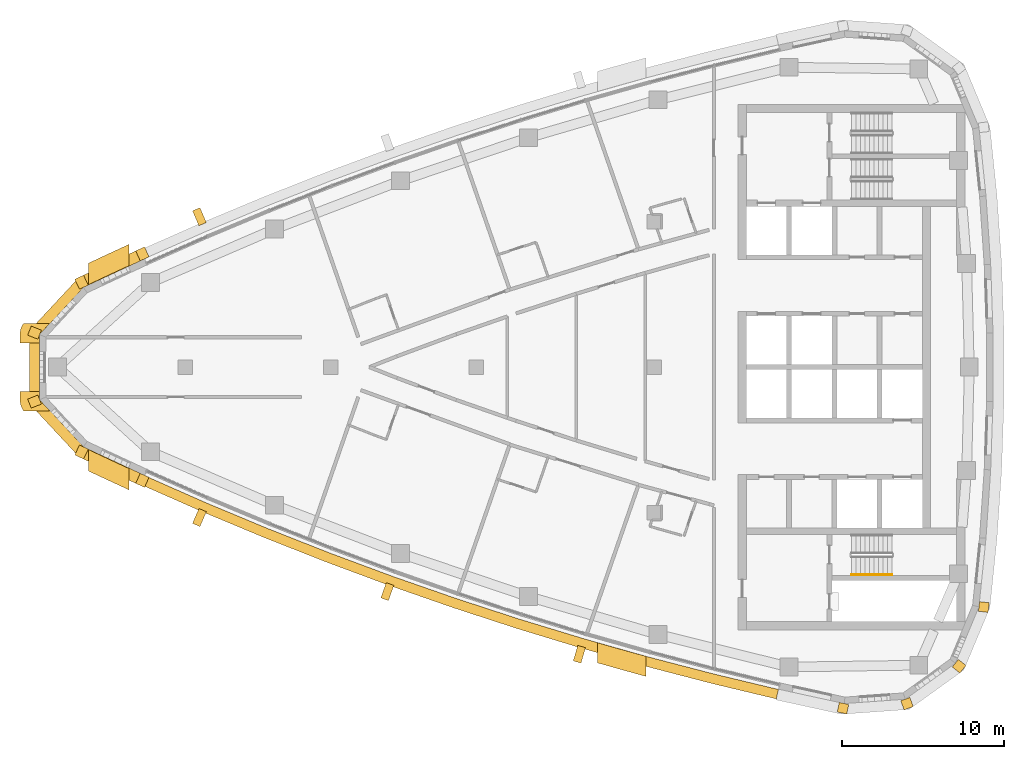
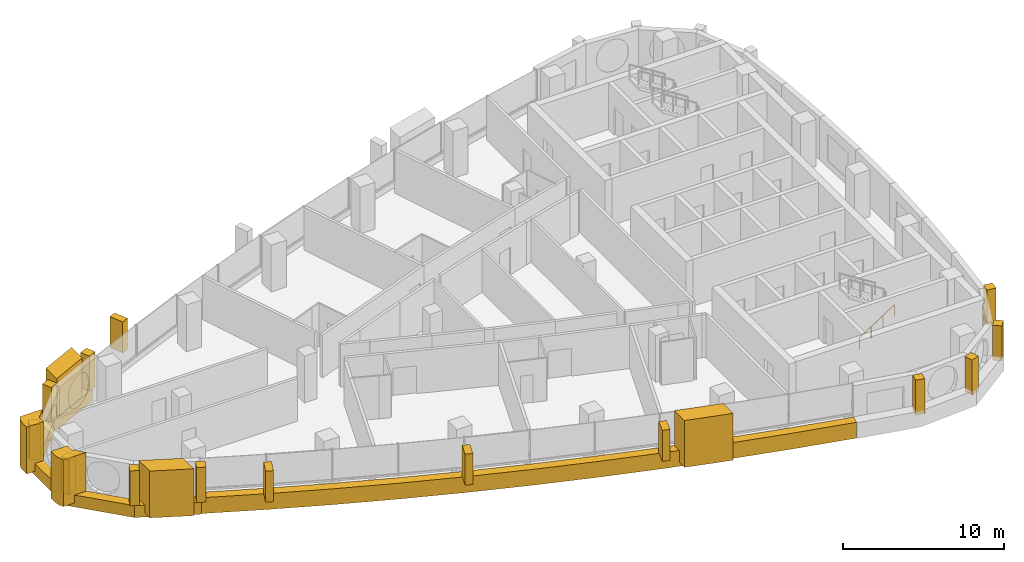
# One storey, part 12 of 15: 21 coverings, 1 railing.
"""IFC4 building model written with IfcOpenShell, lengths in metres."""

import ifcopenshell
import ifcopenshell.guid

model = None  # the IFC model being written
_history = None  # IfcOwnerHistory: only IFC2X3 demands one
_inside = {}  # id of a spatial element -> (the spatial element, [elements in it])
_under = {}  # id of a project, library or spatial element -> (it, [spatial elements below it])
_declared = {}  # id of a project -> (the project, [libraries it declares])
_typed = {}  # id of a type object -> (the type object, [elements of that type])
_made_of = {}  # id of a material, layer set ... -> (it, [elements and type objects made of it])


def new_model(schema):
    """Start an empty IFC model of exactly this schema.

    Asked for "IFC4X3", IfcOpenShell would pick the latest addendum, in which some entities
    have other attributes; the version numbers below select the first issue.
    IFC2X3 requires an IfcOwnerHistory on every rooted entity: one is made here for all.
    """
    global model, _history
    if schema == "IFC4X3":
        model = ifcopenshell.file(schema_version=(4, 3, 0, 0))
    else:
        model = ifcopenshell.file(schema=schema)
    _inside.clear()
    _under.clear()
    _declared.clear()
    _typed.clear()
    _made_of.clear()
    _history = None
    if model.schema == "IFC2X3":
        org = make("IfcOrganization", Name="unknown")
        user = make(
            "IfcPersonAndOrganization",
            ThePerson=make("IfcPerson", FamilyName="unknown"),
            TheOrganization=org,
        )
        app = make(
            "IfcApplication",
            ApplicationDeveloper=org,
            Version="unknown",
            ApplicationFullName="unknown",
            ApplicationIdentifier="unknown",
        )
        _history = make(
            "IfcOwnerHistory",
            OwningUser=user,
            OwningApplication=app,
            ChangeAction="ADDED",
            CreationDate=0,
        )
    return model


def make(cls, **values):
    """One entity of the class cls with the attributes given. An attribute that is None is left unset."""
    return model.create_entity(
        cls, **{name: value for name, value in values.items() if value is not None}
    )


def rooted(cls, **values):
    """An entity with a GlobalId (a new one), such as an element, a storey or a relation."""
    return make(cls, GlobalId=ifcopenshell.guid.new(), OwnerHistory=_history, **values)


def si_unit(unit_type, name, prefix=None):
    """IfcSIUnit, for example si_unit("LENGTHUNIT", "METRE", prefix="MILLI")."""
    return make("IfcSIUnit", UnitType=unit_type, Prefix=prefix, Name=name)


def assignment(units):
    """IfcUnitAssignment: the units of a project."""
    return None if units is None else make("IfcUnitAssignment", Units=units)


def point(xyz):
    """IfcCartesianPoint."""
    return None if xyz is None else make("IfcCartesianPoint", Coordinates=xyz)


def direction(xyz):
    """IfcDirection."""
    return None if xyz is None else make("IfcDirection", DirectionRatios=xyz)


def frame(location, z_axis=None, x_axis=None):
    """IfcAxis2Placement3D, a coordinate frame: its origin and axes. An axis left out is left unset."""
    return make(
        "IfcAxis2Placement3D",
        Location=point(location),
        Axis=direction(z_axis),
        RefDirection=direction(x_axis),
    )


def frame_2d(location, x_axis=None):
    """IfcAxis2Placement2D, a coordinate frame in the plane: its origin and x axis."""
    return make(
        "IfcAxis2Placement2D", Location=point(location), RefDirection=direction(x_axis)
    )


def origin():
    """The frame at (0, 0, 0) with its axes left unset."""
    return frame((0.0, 0.0, 0.0))


def origin_2d():
    """The frame at (0, 0) in the plane with its x axis left unset."""
    return frame_2d((0.0, 0.0))


def place(relative_to, where):
    """IfcLocalPlacement: puts the frame where relative to a parent placement (None: the world)."""
    return make(
        "IfcLocalPlacement", PlacementRelTo=relative_to, RelativePlacement=where
    )


def context(
    kind, dimensions, precision=None, world=None, true_north=None, identifier=None
):
    """IfcGeometricRepresentationContext, for example the 3D "Model" context."""
    return make(
        "IfcGeometricRepresentationContext",
        ContextIdentifier=identifier,
        ContextType=kind,
        CoordinateSpaceDimension=dimensions,
        Precision=precision,
        WorldCoordinateSystem=world,
        TrueNorth=true_north,
    )


def subcontext(parent, identifier, kind, view, scale=None):
    """IfcGeometricRepresentationSubContext, for example "Body" below "Model"."""
    return make(
        "IfcGeometricRepresentationSubContext",
        ContextIdentifier=identifier,
        ContextType=kind,
        ParentContext=parent,
        TargetScale=scale,
        TargetView=view,
    )


def project(units=None, contexts=None):
    """IfcProject with its units and contexts."""
    return rooted(
        "IfcProject",
        Name="project",
        RepresentationContexts=contexts,
        UnitsInContext=assignment(units),
    )


def spatial(cls, under=None, at=None, **own):
    """A site, building, storey or space (cls), placed at a placement, below another one or the project."""
    s = rooted(cls, ObjectPlacement=at, **own)
    if under is not None:
        _under.setdefault(under.id(), (under, []))[1].append(s)
    return s


def polyline(points):
    """IfcPolyline through the points."""
    return make("IfcPolyline", Points=[point(p) for p in points])


def profile(cls, at=None, kind="AREA", **sizes):
    """A parametric profile (cls). Its sizes go by their IFC names, for example OverallWidth=200.0."""
    return make(cls, ProfileType=kind, Position=at, **sizes)


def rectangle(**sizes):
    """IfcRectangleProfileDef."""
    return profile("IfcRectangleProfileDef", **sizes)


def circle(**sizes):
    """IfcCircleProfileDef."""
    return profile("IfcCircleProfileDef", **sizes)


def outline(outer, holes=None, kind="AREA"):
    """IfcArbitraryClosedProfileDef: a profile drawn as a closed curve; with holes, ...WithVoids."""
    if holes is None:
        return make("IfcArbitraryClosedProfileDef", ProfileType=kind, OuterCurve=outer)
    return make(
        "IfcArbitraryProfileDefWithVoids",
        ProfileType=kind,
        OuterCurve=outer,
        InnerCurves=holes,
    )


def extrude(swept, where, along, depth):
    """IfcExtrudedAreaSolid: the profile swept, set in the frame where, extruded along a direction by depth."""
    return make(
        "IfcExtrudedAreaSolid",
        SweptArea=swept,
        Position=where,
        ExtrudedDirection=direction(along),
        Depth=depth,
    )


def shape(context_of_items, identifier, shape_type, items):
    """IfcShapeRepresentation: the items that make up one representation, for example the "Body"."""
    return make(
        "IfcShapeRepresentation",
        ContextOfItems=context_of_items,
        RepresentationIdentifier=identifier,
        RepresentationType=shape_type,
        Items=items,
    )


def material(Name=None, Category=None):
    """IfcMaterial."""
    return make("IfcMaterial", Name=Name, Category=Category)


def layer(
    of_material, thickness, ventilated=None, Name=None, Category=None, Priority=None
):
    """IfcMaterialLayer: one layer of a wall or slab, of a material (None: an air gap)."""
    return make(
        "IfcMaterialLayer",
        Material=of_material,
        LayerThickness=thickness,
        IsVentilated=ventilated,
        Name=Name,
        Category=Category,
        Priority=Priority,
    )


def layer_set(layers, Name=None):
    """IfcMaterialLayerSet."""
    return make("IfcMaterialLayerSet", MaterialLayers=layers, LayerSetName=Name)


def made_of(thing, what):
    """Note that an element or type object is made of a material, layer set ...; save() writes the relation."""
    if what is not None:
        _made_of.setdefault(what.id(), (what, []))[1].append(thing)
    return thing


def type_object(cls, material=None, **own):
    """A type object (cls), such as IfcWallType, which elements share."""
    return made_of(rooted(cls, **own), material)


def element(
    cls,
    number,
    at=None,
    inside=None,
    cuts=None,
    type_object=None,
    material=None,
    context=None,
    identifier="Body",
    shape_type=None,
    held_by="IfcProductDefinitionShape",
    body=None,
    shapes=None,
    **own,
):
    """One element of the class cls, such as IfcWall. Its Tag is "e" and its number.

    at: its placement. inside: the storey or other place that contains it. cuts: it is an
    opening in that element (IfcRelVoidsElement). A single representation is given by context,
    identifier, shape_type and body (its items); several are given by shapes. held_by: the class
    of the entity that holds the representations. save() writes the other relations.
    """
    e = rooted(cls, Tag="e%d" % number, ObjectPlacement=at, **own)
    if body is not None:
        shapes = [shape(context, identifier, shape_type, body)]
    if shapes is not None:
        e.Representation = make(held_by, Representations=shapes)
    if inside is not None:
        _inside.setdefault(inside.id(), (inside, []))[1].append(e)
    if cuts is not None:
        rooted(
            "IfcRelVoidsElement", RelatingBuildingElement=cuts, RelatedOpeningElement=e
        )
    if type_object is not None:
        _typed.setdefault(type_object.id(), (type_object, []))[1].append(e)
    return made_of(e, material)


def aggregate(whole, parts):
    """IfcRelAggregates: a whole, such as a stair, and the parts it consists of."""
    return rooted("IfcRelAggregates", RelatingObject=whole, RelatedObjects=parts)


def save(model, path):
    """Write the relations noted so far, then the file.

    IfcRelAggregates (storeys below a building ...), IfcRelContainedInSpatialStructure (elements
    in a storey), IfcRelDefinesByType, IfcRelAssociatesMaterial and IfcRelDeclares: one each for
    every whole, place, type object, material and project.
    """
    for whole, parts in _under.values():
        aggregate(whole, parts)
    for where, things in _inside.values():
        rooted(
            "IfcRelContainedInSpatialStructure",
            RelatedElements=things,
            RelatingStructure=where,
        )
    for kind, things in _typed.values():
        rooted("IfcRelDefinesByType", RelatedObjects=things, RelatingType=kind)
    for what, things in _made_of.values():
        rooted("IfcRelAssociatesMaterial", RelatedObjects=things, RelatingMaterial=what)
    for by, libraries in _declared.values():
        rooted("IfcRelDeclares", RelatingContext=by, RelatedDefinitions=libraries)
    model.write(path)


model = new_model("IFC4")

# Units and contexts
model_context = context("Model", 3, precision=1e-05, world=origin(), true_north=direction((0.0, 1.0)))
body_context = subcontext(model_context, "Body", "Model", "MODEL_VIEW")
ifc_project = project(units=[si_unit("LENGTHUNIT", "METRE"), si_unit("AREAUNIT", "SQUARE_METRE"), si_unit("VOLUMEUNIT", "CUBIC_METRE"), si_unit("PLANEANGLEUNIT", "RADIAN"), si_unit("MASSUNIT", "GRAM", prefix="KILO")], contexts=[model_context])

# Site, building, storey
site_placement = place(None, origin())
site = spatial("IfcSite", under=ifc_project, at=site_placement, CompositionType="ELEMENT")
building_placement = place(site_placement, origin())
building = spatial("IfcBuilding", under=site, at=building_placement, Name="Ostrand Prow Hotel Tower", CompositionType="ELEMENT")
storey_placement = place(building_placement, frame((0.0, 0.0, 292.75)))
storey = spatial("IfcBuildingStorey", under=building, at=storey_placement, Name="L74", CompositionType="ELEMENT", Elevation=292.75)

# Coverings
ifc_material_1 = material(Name="Bronze anodised aluminium cladding", Category="aluminium")
ifc_layer_1 = layer(ifc_material_1, 0.60009765625)
ifc_layer_set_1 = layer_set([ifc_layer_1], Name="Bronze anodised aluminium cladding")
covering_type_1 = type_object("IfcCoveringType", Name="Bronze prow band 899x600", PredefinedType="CLADDING", material=ifc_layer_set_1)
covering_1_placement = place(storey_placement, frame((0.0, 0.0, -0.300048828125)))
element("IfcCovering", 1, at=covering_1_placement, inside=storey, type_object=covering_type_1, Name="Bronze prow band", PredefinedType="CLADDING", context=body_context, shape_type="SweptSolid", body=[
    extrude(outline(polyline([(13.195068359375, 7.316162109375), (9.424560546875, 5.559814453125), (6.348388671875, 2.2568359375), (6.348388671875, -2.2568359375), (9.424560546875, -5.559814453125), (13.195068359375, -7.316162109375), (13.47607421875, -6.697021484375), (9.718017578125, -4.9462890625), (6.981201171875, -2.0078125), (6.981201171875, 2.0078125), (9.718017578125, 4.9462890625), (13.47607421875, 6.697021484375), (13.195068359375, 7.316162109375)])), origin(), (0.0, 0.0, 1.0), 0.900146484375),
])
ifc_material_2 = material(Name="Bronze anodised aluminium cladding", Category="aluminium")
ifc_layer_2 = layer(ifc_material_2, 0.60009765625)
ifc_layer_set_2 = layer_set([ifc_layer_2], Name="Bronze anodised aluminium cladding")
covering_type_2 = type_object("IfcCoveringType", Name="Bronze spandrel band 1200x600", PredefinedType="CLADDING", material=ifc_layer_set_2)
covering_2_placement = place(storey_placement, frame((0.0, 0.0, -0.300048828125)))
element("IfcCovering", 2, at=covering_2_placement, inside=storey, type_object=covering_type_2, Name="Spandrel band S1", PredefinedType="CLADDING", context=body_context, shape_type="SweptSolid", body=[
    extrude(outline(polyline([(13.220947265625, -7.25927734375), (17.02490234375, -8.938720703125), (20.86181640625, -10.541748046875), (24.72998046875, -12.067138671875), (28.62841796875, -13.514404296875), (32.5546875, -14.88330078125), (36.508056640625, -16.172607421875), (40.486328125, -17.382568359375), (44.48828125, -18.51220703125), (48.51220703125, -19.56103515625), (52.55615234375, -20.52880859375), (52.68994140625, -19.94384765625), (48.65771484375, -18.97900390625), (44.6455078125, -17.93310546875), (40.6552734375, -16.806884765625), (36.6884765625, -15.6005859375), (32.74658203125, -14.314697265625), (28.83154296875, -12.949951171875), (24.944580078125, -11.5068359375), (21.08740234375, -9.98583984375), (17.26171875, -8.3876953125), (13.468994140625, -6.712890625), (13.220947265625, -7.25927734375)])), origin(), (0.0, 0.0, 1.0), 1.199951171875),
])
ifc_material_3 = material(Name="Limestone cladding", Category="masonry")
ifc_layer_3 = layer(ifc_material_3, 5.0)
ifc_layer_set_3 = layer_set([ifc_layer_3], Name="Limestone cladding")
covering_type_3 = type_object("IfcCoveringType", Name="Portal jamb pilaster limestone", PredefinedType="CLADDING", material=ifc_layer_set_3)
covering_3_placement = place(storey_placement, origin())
element("IfcCovering", 3, at=covering_3_placement, inside=storey, type_object=covering_type_3, Name="Portal jamb SA L74", PredefinedType="CLADDING", context=body_context, shape_type="SweptSolid", body=[
    extrude(outline(polyline([(10.0, -5.10009765625), (10.0, -6.428466796875), (10.833251953125, -6.8203125), (11.666748046875, -7.20751953125), (12.5, -7.590087890625), (12.5, -6.270263671875), (11.666748046875, -5.884765625), (10.833251953125, -5.494873046875), (10.0, -5.10009765625)])), origin(), (0.0, 0.0, 1.0), 3.550048828125),
])
covering_4_placement = place(storey_placement, origin())
element("IfcCovering", 4, at=covering_4_placement, inside=storey, type_object=covering_type_3, Name="Portal jamb SB L74", PredefinedType="CLADDING", context=body_context, shape_type="SweptSolid", body=[
    extrude(outline(polyline([(41.5, -17.052490234375), (41.5, -18.301025390625), (42.5, -18.585205078125), (43.5, -18.86376953125), (44.5, -19.136962890625), (44.5, -17.8935546875), (43.5, -17.61865234375), (42.5, -17.338134765625), (41.5, -17.052490234375)])), origin(), (0.0, 0.0, 1.0), 3.550048828125),
])
covering_5_placement = place(storey_placement, origin())
element("IfcCovering", 5, at=covering_5_placement, inside=storey, type_object=covering_type_3, Name="Portal jamb NA L74", PredefinedType="CLADDING", context=body_context, shape_type="SweptSolid", body=[
    extrude(outline(polyline([(10.0, 5.10009765625), (10.833251953125, 5.494873046875), (11.666748046875, 5.884765625), (12.5, 6.270263671875), (12.5, 7.590087890625), (11.666748046875, 7.20751953125), (10.833251953125, 6.8203125), (10.0, 6.428466796875), (10.0, 5.10009765625)])), origin(), (0.0, 0.0, 1.0), 3.550048828125),
])
ifc_material_4 = material(Name="Limestone cladding", Category="masonry")
ifc_layer_4 = layer(ifc_material_4, 0.5)
ifc_layer_set_4 = layer_set([ifc_layer_4], Name="Limestone cladding")
covering_type_4 = type_object("IfcCoveringType", Name="Precast stone fin 500x900", PredefinedType="CLADDING", material=ifc_layer_set_4)
covering_6_placement = place(storey_placement, frame((17.064453125, -8.846923828125, 0.89990234375), z_axis=(0.0, 0.0, 1.0), x_axis=(-0.394714590234, -0.918803783327, 0.0)))
element("IfcCovering", 6, at=covering_6_placement, inside=storey, type_object=covering_type_4, Name="Stone fin S 2", PredefinedType="CLADDING", context=body_context, shape_type="SweptSolid", body=[
    extrude(rectangle(XDim=1.000244140625, YDim=0.5, at=frame_2d((0.5, 0.0))), origin(), (0.0, 0.0, 1.0), 2.35009765625),
])
covering_7_placement = place(storey_placement, frame((28.662109375, -13.42041015625, 0.89990234375), z_axis=(0.0, 0.0, 1.0), x_axis=(-0.338624368902, -0.940921642213, 0.0)))
element("IfcCovering", 7, at=covering_7_placement, inside=storey, type_object=covering_type_4, Name="Stone fin S 5", PredefinedType="CLADDING", context=body_context, shape_type="SweptSolid", body=[
    extrude(rectangle(XDim=1.0, YDim=0.5, at=frame_2d((0.5, 0.0))), origin(), (0.0, 0.0, 1.0), 2.35009765625),
])
covering_8_placement = place(storey_placement, frame((40.5146484375, -17.28662109375, 0.89990234375), z_axis=(0.0, 0.0, 1.0), x_axis=(-0.281293696661, -0.959621725587, 0.0)))
element("IfcCovering", 8, at=covering_8_placement, inside=storey, type_object=covering_type_4, Name="Stone fin S 8", PredefinedType="CLADDING", context=body_context, shape_type="SweptSolid", body=[
    extrude(rectangle(XDim=0.999755859375, YDim=0.5, at=frame_2d((0.5, 0.0))), origin(), (0.0, 0.0, 1.0), 2.35009765625),
])
covering_9_placement = place(storey_placement, frame((17.064453125, 8.846923828125, 0.89990234375), z_axis=(0.0, 0.0, 1.0), x_axis=(-0.394714590234, 0.918803783327, 0.0)))
element("IfcCovering", 9, at=covering_9_placement, inside=storey, type_object=covering_type_4, Name="Stone fin N 10", PredefinedType="CLADDING", context=body_context, shape_type="SweptSolid", body=[
    extrude(rectangle(XDim=1.000244140625, YDim=0.5, at=frame_2d((0.5, 0.0))), origin(), (0.0, 0.0, 1.0), 2.35009765625),
])
ifc_material_5 = material(Name="Limestone cladding", Category="masonry")
ifc_layer_5 = layer(ifc_material_5, 0.60009765625)
ifc_layer_set_5 = layer_set([ifc_layer_5], Name="Limestone cladding")
covering_type_5 = type_object("IfcCoveringType", Name="Precast stone prow rib 600x600", PredefinedType="CLADDING", material=ifc_layer_set_5)
covering_10_placement = place(storey_placement, frame((13.47607421875, 6.697021484375, 0.60009765625), z_axis=(0.0, 0.0, 1.0), x_axis=(-0.413288868051, 0.910599973394, 0.0)))
element("IfcCovering", 10, at=covering_10_placement, inside=storey, type_object=covering_type_5, Name="Stone prow rib 1", PredefinedType="CLADDING", context=body_context, shape_type="SweptSolid", body=[
    extrude(rectangle(XDim=0.679931640625, YDim=0.60009765625, at=frame_2d((0.33984375, 0.0))), origin(), (0.0, 0.0, 1.0), 2.64990234375),
])
covering_11_placement = place(storey_placement, frame((9.718017578125, 4.9462890625, 0.60009765625), z_axis=(0.0, 0.0, 1.0), x_axis=(-0.431493603995, 0.902115995707, 0.0)))
element("IfcCovering", 11, at=covering_11_placement, inside=storey, type_object=covering_type_5, Name="Stone prow rib 2", PredefinedType="CLADDING", context=body_context, shape_type="SweptSolid", body=[
    extrude(rectangle(XDim=0.68017578125, YDim=0.60009765625, at=frame_2d((0.340087890625, 0.0))), origin(), (0.0, 0.0, 1.0), 2.64990234375),
])
for number, where, z_axis, x_axis, name in (
    (12, (6.981201171875, 2.0078125, 0.60009765625), (0.0, 0.0, 1.0), (-0.93054188789, 0.366185465142, 0.0), "Stone prow rib 3"),
    (13, (6.981201171875, -2.0078125, 0.60009765625), (0.0, 0.0, 1.0), (-0.93054188789, -0.366185465142, 0.0), "Stone prow rib 4"),
):
    element("IfcCovering", number, at=place(storey_placement, frame(where, z_axis=z_axis, x_axis=x_axis)), inside=storey, type_object=covering_type_5, Name=name, PredefinedType="CLADDING", context=body_context, shape_type="SweptSolid", body=[
        extrude(rectangle(XDim=0.679931640625, YDim=0.60009765625, at=frame_2d((0.33984375, 0.0))), origin(), (0.0, 0.0, 1.0), 2.64990234375),
    ])
covering_12_placement = place(storey_placement, frame((9.718017578125, -4.9462890625, 0.60009765625), z_axis=(0.0, 0.0, 1.0), x_axis=(-0.431493603995, -0.902115995707, 0.0)))
element("IfcCovering", 14, at=covering_12_placement, inside=storey, type_object=covering_type_5, Name="Stone prow rib 5", PredefinedType="CLADDING", context=body_context, shape_type="SweptSolid", body=[
    extrude(rectangle(XDim=0.68017578125, YDim=0.60009765625, at=frame_2d((0.340087890625, 0.0))), origin(), (0.0, 0.0, 1.0), 2.64990234375),
])
covering_13_placement = place(storey_placement, frame((13.47607421875, -6.697021484375, 0.60009765625), z_axis=(0.0, 0.0, 1.0), x_axis=(-0.413288868051, -0.910599973394, 0.0)))
element("IfcCovering", 15, at=covering_13_placement, inside=storey, type_object=covering_type_5, Name="Stone prow rib 6", PredefinedType="CLADDING", context=body_context, shape_type="SweptSolid", body=[
    extrude(rectangle(XDim=0.679931640625, YDim=0.60009765625, at=frame_2d((0.33984375, 0.0))), origin(), (0.0, 0.0, 1.0), 2.64990234375),
])
covering_14_placement = place(storey_placement, frame((56.744384765625, -20.810546875, 0.60009765625), z_axis=(0.0, 0.0, 1.0), x_axis=(-0.203385687349, -0.979098698897, 0.0)))
element("IfcCovering", 16, at=covering_14_placement, inside=storey, type_object=covering_type_5, Name="Stone corner rib 2a", PredefinedType="CLADDING", context=body_context, shape_type="SweptSolid", body=[
    extrude(rectangle(XDim=0.60009765625, YDim=0.60009765625, at=frame_2d((0.300048828125, 0.0))), origin(), (0.0, 0.0, 1.0), 2.64990234375),
])
for number, where, z_axis, x_axis, name in (
    (17, (60.540283203125, -20.539794921875, 0.60009765625), (0.0, 0.0, 1.0), (0.340664419472, -0.940184956966, 0.0), "Stone corner rib 3a"),
    (18, (63.630615234375, -18.318359375, 0.60009765625), (0.0, 0.0, 1.0), (0.782731736812, -0.622359243674, 0.0), "Stone corner rib 4a"),
):
    element("IfcCovering", number, at=place(storey_placement, frame(where, z_axis=z_axis, x_axis=x_axis)), inside=storey, type_object=covering_type_5, Name=name, PredefinedType="CLADDING", context=body_context, shape_type="SweptSolid", body=[
        extrude(rectangle(XDim=0.599853515625, YDim=0.60009765625, at=frame_2d((0.2998046875, 0.0))), origin(), (0.0, 0.0, 1.0), 2.64990234375),
    ])
covering_15_placement = place(storey_placement, frame((65.0966796875, -14.806396484375, 0.60009765625), z_axis=(0.0, 0.0, 1.0), x_axis=(0.992867207971, -0.119225447515, 0.0)))
element("IfcCovering", 19, at=covering_15_placement, inside=storey, type_object=covering_type_5, Name="Stone corner rib 4b", PredefinedType="CLADDING", context=body_context, shape_type="SweptSolid", body=[
    extrude(rectangle(XDim=0.60009765625, YDim=0.60009765625, at=frame_2d((0.300048828125, 0.0))), origin(), (0.0, 0.0, 1.0), 2.64990234375),
])
ifc_material_6 = material(Name="Limestone cladding", Category="masonry")
ifc_layer_6 = layer(ifc_material_6, 3.0)
ifc_layer_set_6 = layer_set([ifc_layer_6], Name="Limestone cladding")
covering_type_6 = type_object("IfcCoveringType", Name="Prow nose pier limestone", PredefinedType="CLADDING", material=ifc_layer_set_6)
covering_16_placement = place(storey_placement, origin())
element("IfcCovering", 20, at=covering_16_placement, inside=storey, type_object=covering_type_6, Name="Prow spine fin N L74", PredefinedType="CLADDING", context=body_context, shape_type="SweptSolid", body=[
    extrude(outline(polyline([(5.764892578125, 2.01416015625), (5.764892578125, 1.5), (6.96484375, 1.5), (6.96484375, 2.01416015625), (7.603515625, 2.699951171875), (5.981689453125, 2.699951171875), (5.94970703125, 2.654052734375), (5.894287109375, 2.55615234375), (5.84814453125, 2.45361328125), (5.81201171875, 2.34716796875), (5.785888671875, 2.23779296875), (5.77001953125, 2.12646484375), (5.764892578125, 2.01416015625)])), origin(), (0.0, 0.0, 1.0), 3.550048828125),
])
covering_17_placement = place(storey_placement, origin())
element("IfcCovering", 21, at=covering_17_placement, inside=storey, type_object=covering_type_6, Name="Prow spine fin S L74", PredefinedType="CLADDING", context=body_context, shape_type="SweptSolid", body=[
    extrude(outline(polyline([(5.94970703125, -2.654052734375), (5.981689453125, -2.699951171875), (7.603515625, -2.699951171875), (6.96484375, -2.01416015625), (6.96484375, -1.5), (5.764892578125, -1.5), (5.764892578125, -2.01416015625), (5.77001953125, -2.12646484375), (5.785888671875, -2.23779296875), (5.81201171875, -2.34716796875), (5.84814453125, -2.45361328125), (5.894287109375, -2.55615234375), (5.94970703125, -2.654052734375)])), origin(), (0.0, 0.0, 1.0), 3.550048828125),
])

# Railing
ifc_material_7 = material(Name="Stainless steel", Category="steel")
railing_type = type_object("IfcRailingType", Name="Stair handrail 900", PredefinedType="HANDRAIL", material=ifc_material_7)
railing_placement = place(storey_placement, frame((57.199951171875, -12.85009765625, 0.177490234375)))
element("IfcRailing", 22, at=railing_placement, inside=storey, type_object=railing_type, Name="L74 ST2C stair handrail 1", PredefinedType="HANDRAIL", context=body_context, shape_type="SweptSolid", body=[
    extrude(circle(Radius=0.02392578125, at=origin_2d()), frame((0.0, 0.0, 0.8759765625), z_axis=(0.84460694969, 0.0, 0.535386869969), x_axis=(0.0, 1.0, 0.0)), (0.0, 0.0, 1.0), 2.983642578125),
    extrude(circle(Radius=0.02099609375, at=origin_2d()), origin(), (0.0, 0.0, 1.0), 0.851806640625),
    extrude(circle(Radius=0.02099609375, at=origin_2d()), frame((0.840087890625, 0.0, 0.532470703125)), (0.0, 0.0, 1.0), 0.851806640625),
    extrude(circle(Radius=0.02099609375, at=origin_2d()), frame((1.679931640625, 0.0, 1.06494140625)), (0.0, 0.0, 1.0), 0.851806640625),
    extrude(circle(Radius=0.02099609375, at=origin_2d()), frame((2.52001953125, 0.0, 1.597412109375)), (0.0, 0.0, 1.0), 0.851806640625),
])

save(model, "model.ifc")
